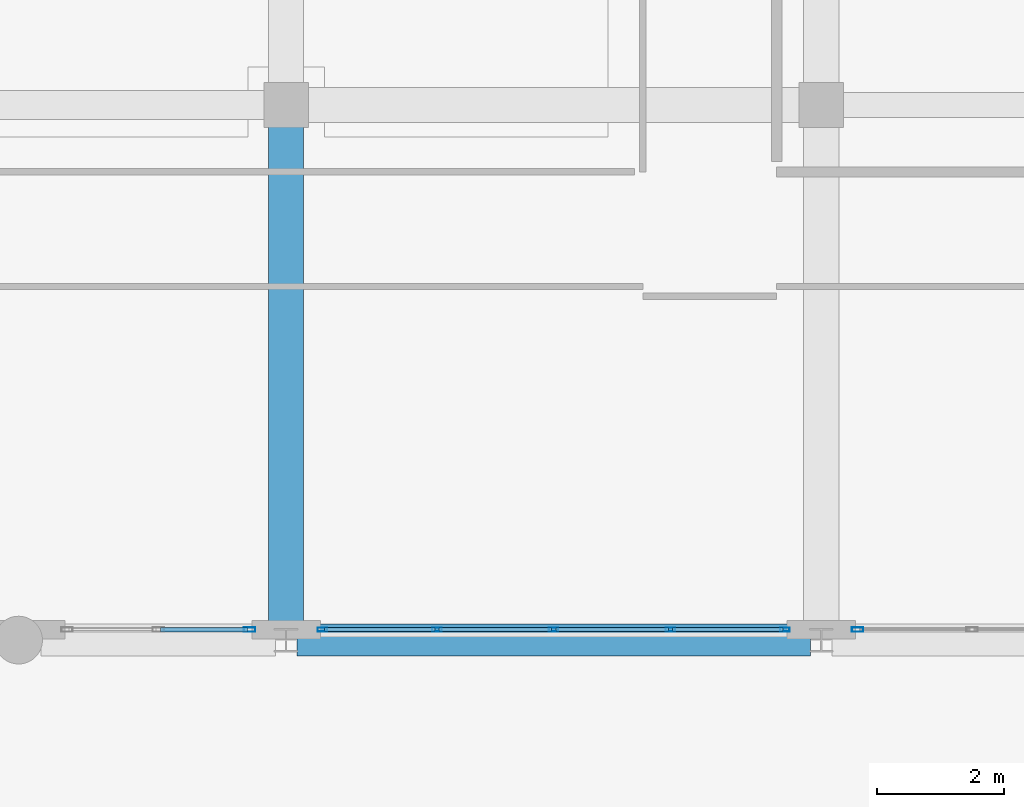
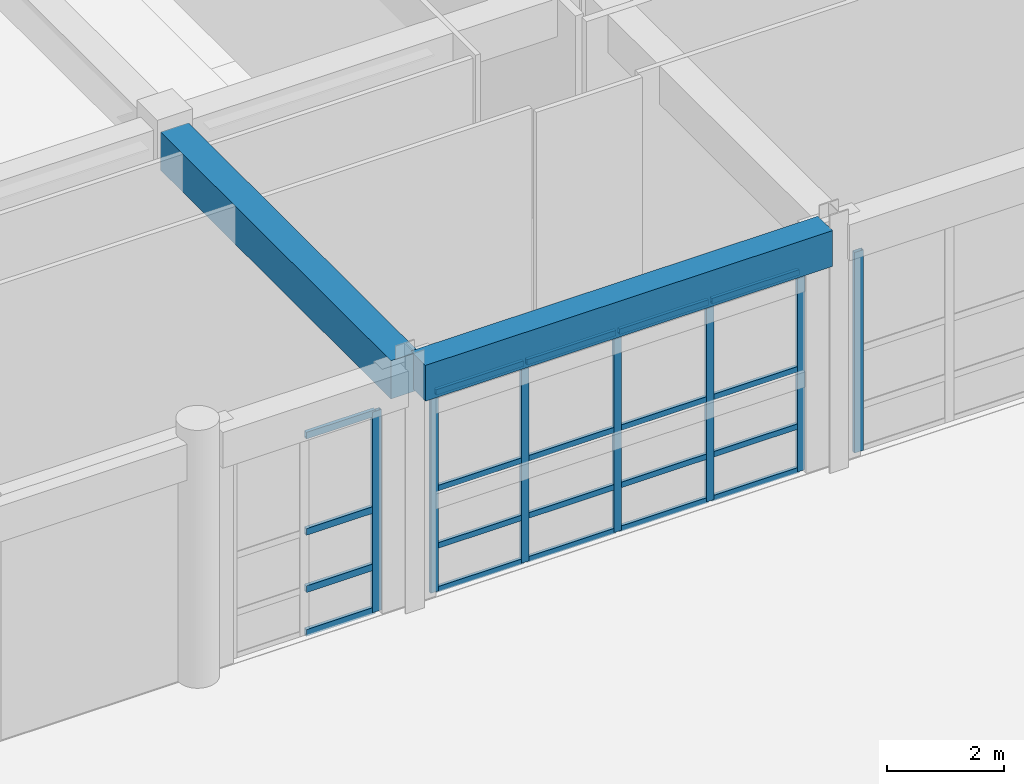
# One storey, part 45 of 148: 27 members, 2 beams, 3 elements without a shape of their own.
"""IFC4 building model written with IfcOpenShell, lengths in metres."""

from ifc_helpers import new_model, si_unit, direction, frame, origin, origin_2d, place, context, subcontext, project, spatial, rectangle, hollow_rectangle, extrude, material, layer, layer_set, material_profile, profile_set, type_object, element, aggregate, save


model = new_model("IFC4")

# Units and contexts
model_context = context("Model", 3, precision=1e-05, world=origin(), true_north=direction((0.0, 1.0)))
body_context = subcontext(model_context, "Body", "Model", "MODEL_VIEW")
ifc_project = project(units=[si_unit("LENGTHUNIT", "METRE"), si_unit("AREAUNIT", "SQUARE_METRE"), si_unit("VOLUMEUNIT", "CUBIC_METRE"), si_unit("PLANEANGLEUNIT", "RADIAN"), si_unit("MASSUNIT", "GRAM", prefix="KILO")], contexts=[model_context])

# Site, building, storey
site_placement = place(None, origin())
site = spatial("IfcSite", under=ifc_project, at=site_placement, CompositionType="ELEMENT")
building_placement = place(site_placement, origin())
building = spatial("IfcBuilding", under=site, at=building_placement, Name="Quendrovan Civic Courthouse", CompositionType="ELEMENT")
storey_placement = place(building_placement, origin())
storey = spatial("IfcBuildingStorey", under=building, at=storey_placement, Name="L01", CompositionType="ELEMENT", Elevation=0.0)

# Beams
ifc_material_1 = material(Name="Concrete C40/50", Category="concrete")
ifc_material_profile_1 = material_profile(ifc_material_1, rectangle(XDim=0.5, YDim=0.75, at=origin_2d()), Name="RC-BM-500x750")
ifc_profile_set_1 = profile_set([ifc_material_profile_1], Name="Concrete C40/50")
beam_type_1 = type_object("IfcBeamType", Name="BM-RC750", PredefinedType="SPANDREL", material=ifc_profile_set_1)
beam_1_placement = place(storey_placement, frame((33.76708984375, 64.800048828125, 4.7451171875), z_axis=(1.0, 0.0, 0.0), x_axis=(0.0, 1.0, 0.0)))
element("IfcBeam", 1, at=beam_1_placement, inside=storey, type_object=beam_type_1, Name="L01 Girder X0289", PredefinedType="SPANDREL", context=body_context, shape_type="SweptSolid", body=[
    extrude(rectangle(XDim=0.5, YDim=0.75, at=origin_2d()), origin(), (0.0, 0.0, 1.0), 8.06591796875),
])
ifc_material_profile_2 = material_profile(ifc_material_1, rectangle(XDim=0.550048828125, YDim=0.800048828125, at=origin_2d()), Name="RC-BM-550x800")
ifc_profile_set_2 = profile_set([ifc_material_profile_2], Name="Concrete C40/50")
beam_type_2 = type_object("IfcBeamType", Name="BM-RC800", PredefinedType="BEAM", material=ifc_profile_set_2)
beam_2_placement = place(storey_placement, frame((33.60009765625, 64.966064453125, 4.719970703125), z_axis=(0.0, 1.0, 0.0), x_axis=(-1.0, 0.0, 0.0)))
element("IfcBeam", 2, at=beam_2_placement, inside=storey, type_object=beam_type_2, Name="L01 Girder Y0404", PredefinedType="BEAM", context=body_context, shape_type="SweptSolid", body=[
    extrude(rectangle(XDim=0.550048828125, YDim=0.800048828125, at=origin_2d()), origin(), (0.0, 0.0, 1.0), 7.904052734375),
])

# Curtain wall, member
ifc_material_2 = material(Name="Bronze anodised aluminium and low-E glass", Category="aluminium")
ifc_layer_1 = layer(ifc_material_2, 0.179931640625, Name="Bronze anodised aluminium and low-E glass")
ifc_layer_set_1 = layer_set([ifc_layer_1], Name="Bronze anodised aluminium and low-E glass")
curtain_wall_type_1 = type_object("IfcCurtainWallType", Name="CW-U73x42", PredefinedType="USERDEFINED", material=ifc_layer_set_1)
curtain_wall_1_placement = place(storey_placement, origin())
curtain_wall_1 = element("IfcCurtainWall", 3, at=curtain_wall_1_placement, inside=storey, type_object=curtain_wall_type_1, Name="L01 Unitised Hurricane Curtain Wall CW-064", ObjectType="UNITISED CURTAIN WALL", PredefinedType="USERDEFINED")
ifc_material_3 = material(Name="Bronze anodised aluminium", Category="aluminium")
ifc_material_profile_3 = material_profile(ifc_material_3, hollow_rectangle(XDim=0.070068359375, YDim=0.179931640625, WallThickness=0.00390625, at=origin_2d()), Name="CW-MULL-70x180")
ifc_profile_set_3 = profile_set([ifc_material_profile_3], Name="Bronze anodised aluminium")
member_type_1 = type_object("IfcMemberType", Name="CW-MULL-A", PredefinedType="MULLION", material=ifc_profile_set_3)
member_1_placement = place(storey_placement, frame((42.572021484375, 64.965087890625, 0.0), z_axis=(0.0, 0.0, 1.0), x_axis=(0.0, -1.0, 0.0)))
member_1 = element("IfcMember", 4, at=member_1_placement, type_object=member_type_1, Name="CW-064 mullion 5", PredefinedType="MULLION", context=body_context, shape_type="SweptSolid", body=[
    extrude(hollow_rectangle(XDim=0.070068359375, YDim=0.179931640625, WallThickness=0.00390625, at=origin_2d()), origin(), (0.0, 0.0, 1.0), 4.199951171875),
])
aggregate(curtain_wall_1, [member_1])

ifc_layer_2 = layer(ifc_material_2, 0.179931640625, Name="Bronze anodised aluminium and low-E glass")
ifc_layer_set_2 = layer_set([ifc_layer_2], Name="Bronze anodised aluminium and low-E glass")
curtain_wall_type_2 = type_object("IfcCurtainWallType", Name="CW-U29x42", PredefinedType="USERDEFINED", material=ifc_layer_set_2)
curtain_wall_2_placement = place(storey_placement, origin())
curtain_wall_2 = element("IfcCurtainWall", 5, at=curtain_wall_2_placement, inside=storey, type_object=curtain_wall_type_2, Name="L01 Unitised Hurricane Curtain Wall CW-066", ObjectType="UNITISED CURTAIN WALL", PredefinedType="USERDEFINED")
member_2_placement = place(storey_placement, frame((33.028076171875, 64.965087890625, 0.0), z_axis=(0.0, 0.0, 1.0), x_axis=(0.0, -1.0, 0.0)))
member_2 = element("IfcMember", 6, at=member_2_placement, type_object=member_type_1, Name="CW-066 mullion 1", PredefinedType="MULLION", context=body_context, shape_type="SweptSolid", body=[
    extrude(hollow_rectangle(XDim=0.070068359375, YDim=0.179931640625, WallThickness=0.00390625, at=origin_2d()), origin(), (0.0, 0.0, 1.0), 4.199951171875),
])

# Curtain wall, members
curtain_wall_3_placement = place(storey_placement, origin())
curtain_wall_3 = element("IfcCurtainWall", 7, at=curtain_wall_3_placement, inside=storey, type_object=curtain_wall_type_1, Name="L01 Unitised Hurricane Curtain Wall CW-065", ObjectType="UNITISED CURTAIN WALL", PredefinedType="USERDEFINED")
ifc_material_profile_4 = material_profile(ifc_material_3, hollow_rectangle(XDim=0.06494140625, YDim=0.14990234375, WallThickness=0.00390625, at=origin_2d()), Name="CW-MULL-65x150")
ifc_profile_set_4 = profile_set([ifc_material_profile_4], Name="Bronze anodised aluminium")
member_type_2 = type_object("IfcMemberType", Name="CW-MULL-B", PredefinedType="MULLION", material=ifc_profile_set_4)
member_3_placement = place(storey_placement, frame((41.430419921875, 64.965087890625, 0.0), z_axis=(0.0, 0.0, 1.0), x_axis=(0.0, -1.0, 0.0)))
member_3 = element("IfcMember", 8, at=member_3_placement, type_object=member_type_2, Name="CW-065 mullion 1", PredefinedType="MULLION", context=body_context, shape_type="SweptSolid", body=[
    extrude(hollow_rectangle(XDim=0.06494140625, YDim=0.14990234375, WallThickness=0.00390625, at=origin_2d()), origin(), (0.0, 0.0, 1.0), 4.199951171875),
])
member_4_placement = place(storey_placement, frame((39.631591796875, 64.965087890625, 0.0), z_axis=(0.0, 0.0, 1.0), x_axis=(0.0, -1.0, 0.0)))
member_4 = element("IfcMember", 9, at=member_4_placement, type_object=member_type_2, Name="CW-065 mullion 2", PredefinedType="MULLION", context=body_context, shape_type="SweptSolid", body=[
    extrude(hollow_rectangle(XDim=0.06494140625, YDim=0.14990234375, WallThickness=0.00390625, at=origin_2d()), origin(), (0.0, 0.0, 1.0), 4.199951171875),
])
member_5_placement = place(storey_placement, frame((37.800048828125, 64.965087890625, 0.0), z_axis=(0.0, 0.0, 1.0), x_axis=(0.0, -1.0, 0.0)))
member_5 = element("IfcMember", 10, at=member_5_placement, type_object=member_type_2, Name="CW-065 mullion 3", PredefinedType="MULLION", context=body_context, shape_type="SweptSolid", body=[
    extrude(hollow_rectangle(XDim=0.06494140625, YDim=0.14990234375, WallThickness=0.00390625, at=origin_2d()), origin(), (0.0, 0.0, 1.0), 4.199951171875),
])
member_6_placement = place(storey_placement, frame((35.968505859375, 64.965087890625, 0.0), z_axis=(0.0, 0.0, 1.0), x_axis=(0.0, -1.0, 0.0)))
member_6 = element("IfcMember", 11, at=member_6_placement, type_object=member_type_2, Name="CW-065 mullion 4", PredefinedType="MULLION", context=body_context, shape_type="SweptSolid", body=[
    extrude(hollow_rectangle(XDim=0.06494140625, YDim=0.14990234375, WallThickness=0.00390625, at=origin_2d()), origin(), (0.0, 0.0, 1.0), 4.199951171875),
])
member_7_placement = place(storey_placement, frame((34.16943359375, 64.965087890625, 0.0), z_axis=(0.0, 0.0, 1.0), x_axis=(0.0, -1.0, 0.0)))
member_7 = element("IfcMember", 12, at=member_7_placement, type_object=member_type_2, Name="CW-065 mullion 5", PredefinedType="MULLION", context=body_context, shape_type="SweptSolid", body=[
    extrude(hollow_rectangle(XDim=0.06494140625, YDim=0.14990234375, WallThickness=0.00390625, at=origin_2d()), origin(), (0.0, 0.0, 1.0), 4.199951171875),
])

# Member
ifc_material_profile_5 = material_profile(ifc_material_3, hollow_rectangle(XDim=0.070068359375, YDim=0.139892578125, WallThickness=0.00390625, at=origin_2d()), Name="CW-TRAN-70x140")
ifc_profile_set_5 = profile_set([ifc_material_profile_5], Name="Bronze anodised aluminium")
member_type_3 = type_object("IfcMemberType", Name="CW-TRAN-A", PredefinedType="USERDEFINED", material=ifc_profile_set_5)
member_8_placement = place(storey_placement, frame((32.992919921875, 64.965087890625, 0.034912109375), z_axis=(-1.0, 0.0, 0.0), x_axis=(0.0, -1.0, 0.0)))
member_8 = element("IfcMember", 13, at=member_8_placement, type_object=member_type_3, Name="CW-066 transom 1.1", ObjectType="TRANSOM", PredefinedType="USERDEFINED", context=body_context, shape_type="SweptSolid", body=[
    extrude(hollow_rectangle(XDim=0.070068359375, YDim=0.139892578125, WallThickness=0.00390625, at=origin_2d()), origin(), (0.0, 0.0, 1.0), 1.364013671875),
])

member_9_placement = place(storey_placement, frame((32.992919921875, 64.965087890625, 0.949951171875), z_axis=(-1.0, 0.0, 0.0), x_axis=(0.0, -1.0, 0.0)))
member_9 = element("IfcMember", 14, at=member_9_placement, type_object=member_type_3, Name="CW-066 transom 1.2", ObjectType="TRANSOM", PredefinedType="USERDEFINED", context=body_context, shape_type="SweptSolid", body=[
    extrude(hollow_rectangle(XDim=0.070068359375, YDim=0.139892578125, WallThickness=0.00390625, at=origin_2d()), origin(), (0.0, 0.0, 1.0), 1.364013671875),
])

member_10_placement = place(storey_placement, frame((32.992919921875, 64.965087890625, 2.14990234375), z_axis=(-1.0, 0.0, 0.0), x_axis=(0.0, -1.0, 0.0)))
member_10 = element("IfcMember", 15, at=member_10_placement, type_object=member_type_3, Name="CW-066 transom 1.3", ObjectType="TRANSOM", PredefinedType="USERDEFINED", context=body_context, shape_type="SweptSolid", body=[
    extrude(hollow_rectangle(XDim=0.070068359375, YDim=0.139892578125, WallThickness=0.00390625, at=origin_2d()), origin(), (0.0, 0.0, 1.0), 1.364013671875),
])

member_11_placement = place(storey_placement, frame((32.992919921875, 64.965087890625, 4.1650390625), z_axis=(-1.0, 0.0, 0.0), x_axis=(0.0, -1.0, 0.0)))
member_11 = element("IfcMember", 16, at=member_11_placement, type_object=member_type_3, Name="CW-066 transom 1.4", ObjectType="TRANSOM", PredefinedType="USERDEFINED", context=body_context, shape_type="SweptSolid", body=[
    extrude(hollow_rectangle(XDim=0.070068359375, YDim=0.139892578125, WallThickness=0.00390625, at=origin_2d()), origin(), (0.0, 0.0, 1.0), 1.364013671875),
])

aggregate(curtain_wall_2, [member_2, member_8, member_9, member_10, member_11])

ifc_material_profile_6 = material_profile(ifc_material_3, hollow_rectangle(XDim=0.06494140625, YDim=0.114990234375, WallThickness=0.00390625, at=origin_2d()), Name="CW-TRAN-65x115")
ifc_profile_set_6 = profile_set([ifc_material_profile_6], Name="Bronze anodised aluminium")
member_type_4 = type_object("IfcMemberType", Name="CW-TRAN-B", PredefinedType="USERDEFINED", material=ifc_profile_set_6)
member_12_placement = place(storey_placement, frame((41.39794921875, 64.965087890625, 0.032470703125), z_axis=(-1.0, 0.0, 0.0), x_axis=(0.0, -1.0, 0.0)))
member_12 = element("IfcMember", 17, at=member_12_placement, type_object=member_type_4, Name="CW-065 transom 1.1", ObjectType="TRANSOM", PredefinedType="USERDEFINED", context=body_context, shape_type="SweptSolid", body=[
    extrude(hollow_rectangle(XDim=0.06494140625, YDim=0.114990234375, WallThickness=0.00390625, at=origin_2d()), origin(), (0.0, 0.0, 1.0), 1.73388671875),
])

member_13_placement = place(storey_placement, frame((41.39794921875, 64.965087890625, 0.949951171875), z_axis=(-1.0, 0.0, 0.0), x_axis=(0.0, -1.0, 0.0)))
member_13 = element("IfcMember", 18, at=member_13_placement, type_object=member_type_4, Name="CW-065 transom 1.2", ObjectType="TRANSOM", PredefinedType="USERDEFINED", context=body_context, shape_type="SweptSolid", body=[
    extrude(hollow_rectangle(XDim=0.06494140625, YDim=0.114990234375, WallThickness=0.00390625, at=origin_2d()), origin(), (0.0, 0.0, 1.0), 1.73388671875),
])

member_14_placement = place(storey_placement, frame((41.39794921875, 64.965087890625, 2.14990234375), z_axis=(-1.0, 0.0, 0.0), x_axis=(0.0, -1.0, 0.0)))
member_14 = element("IfcMember", 19, at=member_14_placement, type_object=member_type_4, Name="CW-065 transom 1.3", ObjectType="TRANSOM", PredefinedType="USERDEFINED", context=body_context, shape_type="SweptSolid", body=[
    extrude(hollow_rectangle(XDim=0.06494140625, YDim=0.114990234375, WallThickness=0.00390625, at=origin_2d()), origin(), (0.0, 0.0, 1.0), 1.73388671875),
])

member_15_placement = place(storey_placement, frame((41.39794921875, 64.965087890625, 4.16748046875), z_axis=(-1.0, 0.0, 0.0), x_axis=(0.0, -1.0, 0.0)))
member_15 = element("IfcMember", 20, at=member_15_placement, type_object=member_type_4, Name="CW-065 transom 1.4", ObjectType="TRANSOM", PredefinedType="USERDEFINED", context=body_context, shape_type="SweptSolid", body=[
    extrude(hollow_rectangle(XDim=0.06494140625, YDim=0.114990234375, WallThickness=0.00390625, at=origin_2d()), origin(), (0.0, 0.0, 1.0), 1.73388671875),
])

member_16_placement = place(storey_placement, frame((39.59912109375, 64.965087890625, 0.032470703125), z_axis=(-1.0, 0.0, 0.0), x_axis=(0.0, -1.0, 0.0)))
member_16 = element("IfcMember", 21, at=member_16_placement, type_object=member_type_4, Name="CW-065 transom 2.1", ObjectType="TRANSOM", PredefinedType="USERDEFINED", context=body_context, shape_type="SweptSolid", body=[
    extrude(hollow_rectangle(XDim=0.06494140625, YDim=0.114990234375, WallThickness=0.00390625, at=origin_2d()), origin(), (0.0, 0.0, 1.0), 1.7666015625),
])

member_17_placement = place(storey_placement, frame((39.59912109375, 64.965087890625, 0.949951171875), z_axis=(-1.0, 0.0, 0.0), x_axis=(0.0, -1.0, 0.0)))
member_17 = element("IfcMember", 22, at=member_17_placement, type_object=member_type_4, Name="CW-065 transom 2.2", ObjectType="TRANSOM", PredefinedType="USERDEFINED", context=body_context, shape_type="SweptSolid", body=[
    extrude(hollow_rectangle(XDim=0.06494140625, YDim=0.114990234375, WallThickness=0.00390625, at=origin_2d()), origin(), (0.0, 0.0, 1.0), 1.7666015625),
])

member_18_placement = place(storey_placement, frame((39.59912109375, 64.965087890625, 2.14990234375), z_axis=(-1.0, 0.0, 0.0), x_axis=(0.0, -1.0, 0.0)))
member_18 = element("IfcMember", 23, at=member_18_placement, type_object=member_type_4, Name="CW-065 transom 2.3", ObjectType="TRANSOM", PredefinedType="USERDEFINED", context=body_context, shape_type="SweptSolid", body=[
    extrude(hollow_rectangle(XDim=0.06494140625, YDim=0.114990234375, WallThickness=0.00390625, at=origin_2d()), origin(), (0.0, 0.0, 1.0), 1.7666015625),
])

member_19_placement = place(storey_placement, frame((39.59912109375, 64.965087890625, 4.16748046875), z_axis=(-1.0, 0.0, 0.0), x_axis=(0.0, -1.0, 0.0)))
member_19 = element("IfcMember", 24, at=member_19_placement, type_object=member_type_4, Name="CW-065 transom 2.4", ObjectType="TRANSOM", PredefinedType="USERDEFINED", context=body_context, shape_type="SweptSolid", body=[
    extrude(hollow_rectangle(XDim=0.06494140625, YDim=0.114990234375, WallThickness=0.00390625, at=origin_2d()), origin(), (0.0, 0.0, 1.0), 1.7666015625),
])

member_20_placement = place(storey_placement, frame((37.767578125, 64.965087890625, 0.032470703125), z_axis=(-1.0, 0.0, 0.0), x_axis=(0.0, -1.0, 0.0)))
member_20 = element("IfcMember", 25, at=member_20_placement, type_object=member_type_4, Name="CW-065 transom 3.1", ObjectType="TRANSOM", PredefinedType="USERDEFINED", context=body_context, shape_type="SweptSolid", body=[
    extrude(hollow_rectangle(XDim=0.06494140625, YDim=0.114990234375, WallThickness=0.00390625, at=origin_2d()), origin(), (0.0, 0.0, 1.0), 1.7666015625),
])

member_21_placement = place(storey_placement, frame((37.767578125, 64.965087890625, 0.949951171875), z_axis=(-1.0, 0.0, 0.0), x_axis=(0.0, -1.0, 0.0)))
member_21 = element("IfcMember", 26, at=member_21_placement, type_object=member_type_4, Name="CW-065 transom 3.2", ObjectType="TRANSOM", PredefinedType="USERDEFINED", context=body_context, shape_type="SweptSolid", body=[
    extrude(hollow_rectangle(XDim=0.06494140625, YDim=0.114990234375, WallThickness=0.00390625, at=origin_2d()), origin(), (0.0, 0.0, 1.0), 1.7666015625),
])

member_22_placement = place(storey_placement, frame((37.767578125, 64.965087890625, 2.14990234375), z_axis=(-1.0, 0.0, 0.0), x_axis=(0.0, -1.0, 0.0)))
member_22 = element("IfcMember", 27, at=member_22_placement, type_object=member_type_4, Name="CW-065 transom 3.3", ObjectType="TRANSOM", PredefinedType="USERDEFINED", context=body_context, shape_type="SweptSolid", body=[
    extrude(hollow_rectangle(XDim=0.06494140625, YDim=0.114990234375, WallThickness=0.00390625, at=origin_2d()), origin(), (0.0, 0.0, 1.0), 1.7666015625),
])

member_23_placement = place(storey_placement, frame((37.767578125, 64.965087890625, 4.16748046875), z_axis=(-1.0, 0.0, 0.0), x_axis=(0.0, -1.0, 0.0)))
member_23 = element("IfcMember", 28, at=member_23_placement, type_object=member_type_4, Name="CW-065 transom 3.4", ObjectType="TRANSOM", PredefinedType="USERDEFINED", context=body_context, shape_type="SweptSolid", body=[
    extrude(hollow_rectangle(XDim=0.06494140625, YDim=0.114990234375, WallThickness=0.00390625, at=origin_2d()), origin(), (0.0, 0.0, 1.0), 1.7666015625),
])

member_24_placement = place(storey_placement, frame((35.93603515625, 64.965087890625, 0.032470703125), z_axis=(-1.0, 0.0, 0.0), x_axis=(0.0, -1.0, 0.0)))
member_24 = element("IfcMember", 29, at=member_24_placement, type_object=member_type_4, Name="CW-065 transom 4.1", ObjectType="TRANSOM", PredefinedType="USERDEFINED", context=body_context, shape_type="SweptSolid", body=[
    extrude(hollow_rectangle(XDim=0.06494140625, YDim=0.114990234375, WallThickness=0.00390625, at=origin_2d()), origin(), (0.0, 0.0, 1.0), 1.734130859375),
])

member_25_placement = place(storey_placement, frame((35.93603515625, 64.965087890625, 0.949951171875), z_axis=(-1.0, 0.0, 0.0), x_axis=(0.0, -1.0, 0.0)))
member_25 = element("IfcMember", 30, at=member_25_placement, type_object=member_type_4, Name="CW-065 transom 4.2", ObjectType="TRANSOM", PredefinedType="USERDEFINED", context=body_context, shape_type="SweptSolid", body=[
    extrude(hollow_rectangle(XDim=0.06494140625, YDim=0.114990234375, WallThickness=0.00390625, at=origin_2d()), origin(), (0.0, 0.0, 1.0), 1.734130859375),
])

member_26_placement = place(storey_placement, frame((35.93603515625, 64.965087890625, 2.14990234375), z_axis=(-1.0, 0.0, 0.0), x_axis=(0.0, -1.0, 0.0)))
member_26 = element("IfcMember", 31, at=member_26_placement, type_object=member_type_4, Name="CW-065 transom 4.3", ObjectType="TRANSOM", PredefinedType="USERDEFINED", context=body_context, shape_type="SweptSolid", body=[
    extrude(hollow_rectangle(XDim=0.06494140625, YDim=0.114990234375, WallThickness=0.00390625, at=origin_2d()), origin(), (0.0, 0.0, 1.0), 1.734130859375),
])

member_27_placement = place(storey_placement, frame((35.93603515625, 64.965087890625, 4.16748046875), z_axis=(-1.0, 0.0, 0.0), x_axis=(0.0, -1.0, 0.0)))
member_27 = element("IfcMember", 32, at=member_27_placement, type_object=member_type_4, Name="CW-065 transom 4.4", ObjectType="TRANSOM", PredefinedType="USERDEFINED", context=body_context, shape_type="SweptSolid", body=[
    extrude(hollow_rectangle(XDim=0.06494140625, YDim=0.114990234375, WallThickness=0.00390625, at=origin_2d()), origin(), (0.0, 0.0, 1.0), 1.734130859375),
])

aggregate(curtain_wall_3, [member_3, member_4, member_5, member_6, member_7, member_12, member_13, member_14, member_15, member_16, member_17, member_18, member_19, member_20, member_21, member_22, member_23, member_24, member_25, member_26, member_27])

save(model, "model.ifc")
